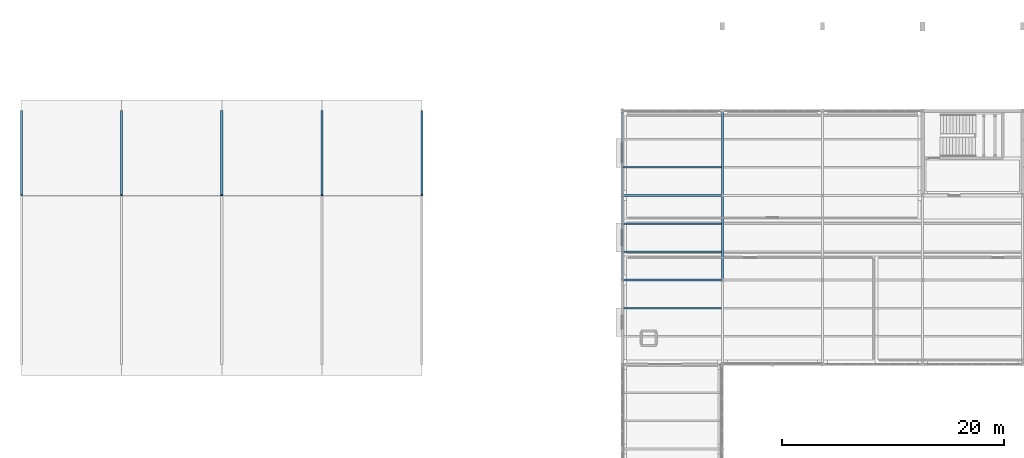
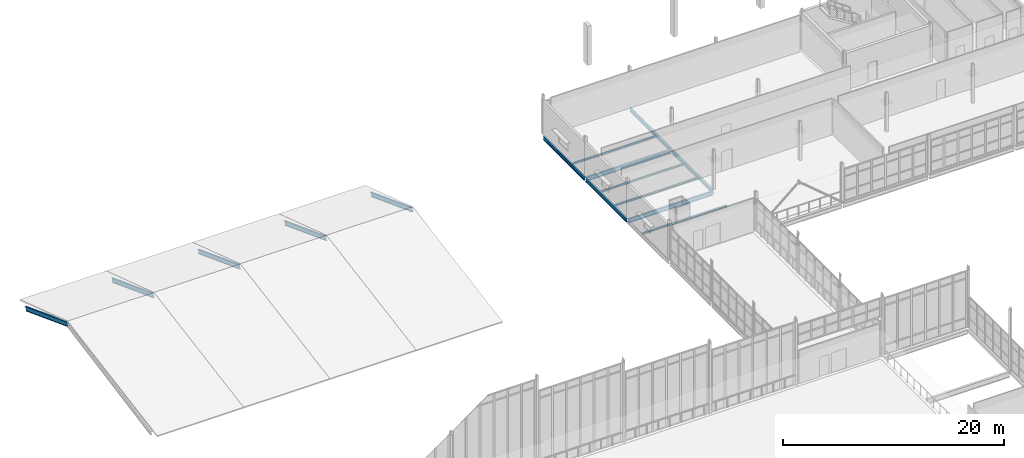
# One storey, part 78 of 166: 15 beams.
"""IFC4 building model written with IfcOpenShell, lengths in metres."""

from ifc_helpers import new_model, si_unit, direction, frame, origin, origin_2d, place, context, subcontext, project, spatial, i_section, extrude, material, material_profile, profile_set, type_object, element, save


model = new_model("IFC4")

# Units and contexts
model_context = context("Model", 3, precision=1e-05, world=origin(), true_north=direction((0.0, 1.0)))
body_context = subcontext(model_context, "Body", "Model", "MODEL_VIEW")
ifc_project = project(units=[si_unit("LENGTHUNIT", "METRE"), si_unit("AREAUNIT", "SQUARE_METRE"), si_unit("VOLUMEUNIT", "CUBIC_METRE"), si_unit("PLANEANGLEUNIT", "RADIAN"), si_unit("MASSUNIT", "GRAM", prefix="KILO")], contexts=[model_context])

# Site, building, storey
site_placement = place(None, origin())
site = spatial("IfcSite", under=ifc_project, at=site_placement, CompositionType="ELEMENT")
building_placement = place(site_placement, origin())
building = spatial("IfcBuilding", under=site, at=building_placement, Name="Caisbarro Railhouse Central Library", CompositionType="ELEMENT")
storey_placement = place(building_placement, frame((0.0, 0.0, 9.360107421875)))
storey = spatial("IfcBuildingStorey", under=building, at=storey_placement, Name="L02", CompositionType="ELEMENT", Elevation=9.360107421875)

# Beams
ifc_material = material(Name="Steel ASTM A572 Grade 50", Category="steel")
ifc_material_profile_1 = material_profile(ifc_material, i_section(OverallWidth=0.18994140625, OverallDepth=0.45703125, WebThickness=0.009033203125, FlangeThickness=0.014404296875, FilletRadius=0.01806640625, at=origin_2d()), Name="W460X74.0")
ifc_profile_set_1 = profile_set([ifc_material_profile_1], Name="Steel ASTM A572 Grade 50")
beam_type_1 = type_object("IfcBeamType", Name="BM-G08", PredefinedType="BEAM", material=ifc_profile_set_1)
for number, where, z_axis, x_axis, name in (
    (1, (54.080078125, 91.199951171875, -0.4287109375), (1.0, 0.0, 0.0), (0.0, 1.0, 0.0), "G08 beam L02 #1657"),
    (2, (54.080078125, 98.800048828125, -0.4287109375), (1.0, 0.0, 0.0), (0.0, 1.0, 0.0), "G08 beam L02 #1662"),
):
    element("IfcBeam", number, at=place(storey_placement, frame(where, z_axis=z_axis, x_axis=x_axis)), inside=storey, type_object=beam_type_1, Name=name, PredefinedType="BEAM", context=body_context, shape_type="SweptSolid", body=[
        extrude(i_section(OverallWidth=0.18994140625, OverallDepth=0.45703125, WebThickness=0.009033203125, FlangeThickness=0.014404296875, FilletRadius=0.01806640625, at=origin_2d()), origin(), (0.0, 0.0, 1.0), 8.83984375),
    ])
for number, where, z_axis, x_axis, name in (
    (3, (0.0, 98.820068359375, 2.489990234375), (0.0, 0.935660506655, -0.352901425734), (-1.0, 0.0, 0.0), "V2 Folded Roof North Rafter X=0"),
    (4, (9.0, 98.820068359375, 2.489990234375), (0.0, 0.935660506655, -0.352901425734), (-1.0, 0.0, 0.0), "V2 Folded Roof North Rafter X=9"),
    (5, (18.0, 98.820068359375, 2.489990234375), (0.0, 0.935660506655, -0.352901425734), (-1.0, 0.0, 0.0), "V2 Folded Roof North Rafter X=18"),
    (6, (27.0, 98.820068359375, 2.489990234375), (0.0, 0.935660506655, -0.352901425734), (-1.0, 0.0, 0.0), "V2 Folded Roof North Rafter X=27"),
    (7, (36.0, 98.820068359375, 2.489990234375), (0.0, 0.935660506655, -0.352901425734), (-1.0, 0.0, 0.0), "V2 Folded Roof North Rafter X=36"),
):
    element("IfcBeam", number, at=place(storey_placement, frame(where, z_axis=z_axis, x_axis=x_axis)), inside=storey, type_object=beam_type_1, Name=name, PredefinedType="BEAM", context=body_context, shape_type="SweptSolid", body=[
        extrude(i_section(OverallWidth=0.18994140625, OverallDepth=0.45703125, WebThickness=0.009033203125, FlangeThickness=0.014404296875, FilletRadius=0.01806640625, at=origin_2d()), origin(), (0.0, 0.0, 1.0), 8.0478515625),
    ])
ifc_material_profile_2 = material_profile(ifc_material, i_section(OverallWidth=0.177978515625, OverallDepth=0.406982421875, WebThickness=0.0078125, FlangeThickness=0.0126953125, FilletRadius=0.01611328125, at=origin_2d()), Name="W410X60.0")
ifc_profile_set_2 = profile_set([ifc_material_profile_2], Name="Steel ASTM A572 Grade 50")
beam_type_2 = type_object("IfcBeamType", Name="BM-G10", PredefinedType="BEAM", material=ifc_profile_set_2)
beam_1_placement = place(storey_placement, frame((54.0, 91.280029296875, -0.403564453125), z_axis=(0.0, 1.0, 0.0), x_axis=(-1.0, 0.0, 0.0)))
element("IfcBeam", 8, at=beam_1_placement, inside=storey, type_object=beam_type_2, Name="G10 beam L02 #1673", PredefinedType="BEAM", context=body_context, shape_type="SweptSolid", body=[
    extrude(i_section(OverallWidth=0.177978515625, OverallDepth=0.406982421875, WebThickness=0.0078125, FlangeThickness=0.0126953125, FilletRadius=0.01611328125, at=origin_2d()), origin(), (0.0, 0.0, 1.0), 7.43994140625),
])
beam_2_placement = place(storey_placement, frame((54.0, 98.8798828125, -0.403564453125), z_axis=(0.0, 1.0, 0.0), x_axis=(-1.0, 0.0, 0.0)))
element("IfcBeam", 9, at=beam_2_placement, inside=storey, type_object=beam_type_2, Name="G10 beam L02 #1674", PredefinedType="BEAM", context=body_context, shape_type="SweptSolid", body=[
    extrude(i_section(OverallWidth=0.177978515625, OverallDepth=0.406982421875, WebThickness=0.0078125, FlangeThickness=0.0126953125, FilletRadius=0.01611328125, at=origin_2d()), origin(), (0.0, 0.0, 1.0), 7.440185546875),
])
beam_3_placement = place(storey_placement, frame((63.0, 91.280029296875, -0.403564453125), z_axis=(0.0, 1.0, 0.0), x_axis=(-1.0, 0.0, 0.0)))
element("IfcBeam", 10, at=beam_3_placement, inside=storey, type_object=beam_type_2, Name="G10 beam L02 #1676", PredefinedType="BEAM", context=body_context, shape_type="SweptSolid", body=[
    extrude(i_section(OverallWidth=0.177978515625, OverallDepth=0.406982421875, WebThickness=0.0078125, FlangeThickness=0.0126953125, FilletRadius=0.01611328125, at=origin_2d()), origin(), (0.0, 0.0, 1.0), 7.43994140625),
])
beam_4_placement = place(storey_placement, frame((63.0, 98.8798828125, -0.403564453125), z_axis=(0.0, 1.0, 0.0), x_axis=(-1.0, 0.0, 0.0)))
element("IfcBeam", 11, at=beam_4_placement, inside=storey, type_object=beam_type_2, Name="G10 beam L02 #1677", PredefinedType="BEAM", context=body_context, shape_type="SweptSolid", body=[
    extrude(i_section(OverallWidth=0.177978515625, OverallDepth=0.406982421875, WebThickness=0.0078125, FlangeThickness=0.0126953125, FilletRadius=0.01611328125, at=origin_2d()), origin(), (0.0, 0.0, 1.0), 7.440185546875),
])
ifc_material_profile_3 = material_profile(ifc_material, i_section(OverallWidth=0.133056640625, OverallDepth=0.20703125, WebThickness=0.005859375, FlangeThickness=0.00830078125, FilletRadius=0.010009765625, at=origin_2d()), Name="W200X26.6")
ifc_profile_set_3 = profile_set([ifc_material_profile_3], Name="Steel ASTM A572 Grade 50")
beam_type_3 = type_object("IfcBeamType", Name="BM-J07", PredefinedType="JOIST", material=ifc_profile_set_3)
for number, where, z_axis, x_axis, name in (
    (12, (54.089111328125, 88.666748046875, -0.3037109375), (1.0, 0.0, 0.0), (0.0, 1.0, 0.0), "J07 beam L02 #1691"),
    (13, (54.089111328125, 93.7333984375, -0.3037109375), (1.0, 0.0, 0.0), (0.0, 1.0, 0.0), "J07 beam L02 #1692"),
    (14, (54.089111328125, 96.2666015625, -0.3037109375), (1.0, 0.0, 0.0), (0.0, 1.0, 0.0), "J07 beam L02 #1693"),
    (15, (54.089111328125, 101.333251953125, -0.3037109375), (1.0, 0.0, 0.0), (0.0, 1.0, 0.0), "J07 beam L02 #1694"),
):
    element("IfcBeam", number, at=place(storey_placement, frame(where, z_axis=z_axis, x_axis=x_axis)), inside=storey, type_object=beam_type_3, Name=name, PredefinedType="JOIST", context=body_context, shape_type="SweptSolid", body=[
        extrude(i_section(OverallWidth=0.133056640625, OverallDepth=0.20703125, WebThickness=0.005859375, FlangeThickness=0.00830078125, FilletRadius=0.010009765625, at=origin_2d()), origin(), (0.0, 0.0, 1.0), 8.82177734375),
    ])

save(model, "model.ifc")
